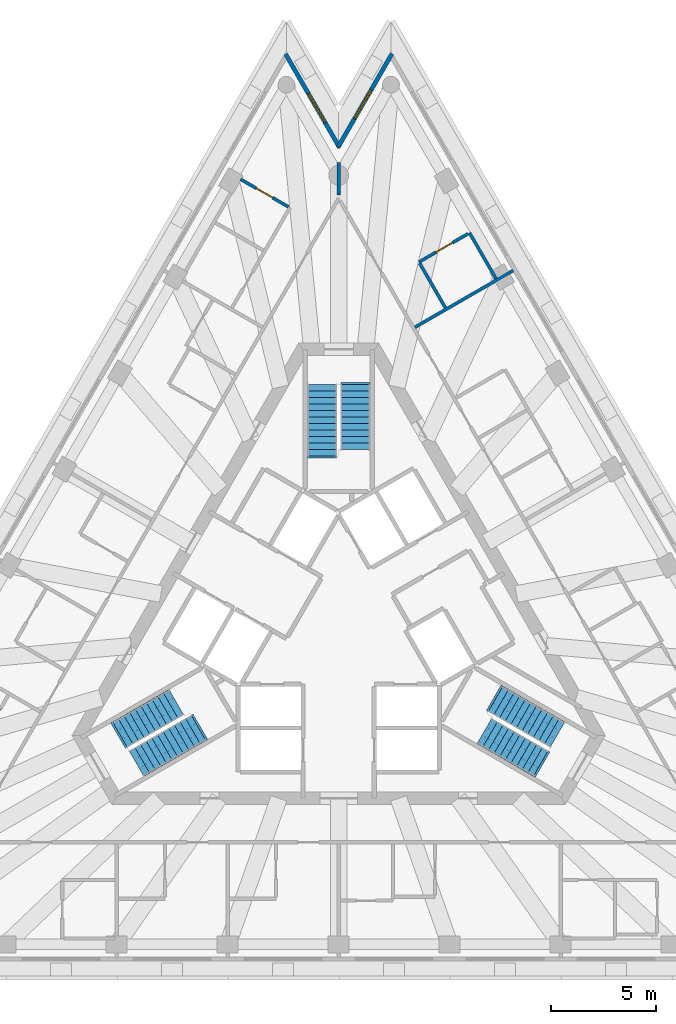
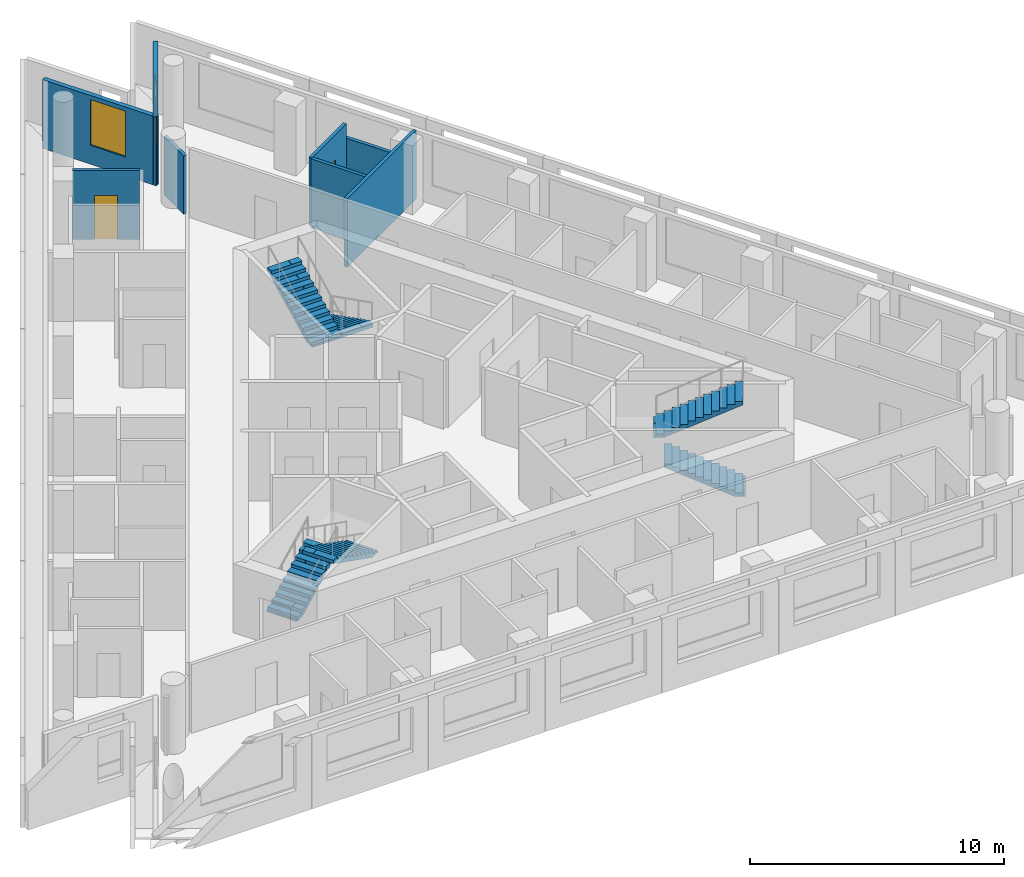
# One storey, part 8 of 11: 8 walls, 6 stair flights, 2 doors, 2 windows, 4 openings, 3 elements without a shape of their own.
"""IFC4 building model written with IfcOpenShell, lengths in metres."""

from ifc_helpers import new_model, si_unit, direction, frame, frame_2d, origin, place, context, subcontext, project, spatial, polyline, rectangle, outline, extrude, material, layer, layer_set, layer_usage, type_object, element, fill, aggregate, save


model = new_model("IFC4")

# Units and contexts
model_context = context("Model", 3, precision=1e-05, world=origin(), true_north=direction((0.0, 1.0)))
body_context = subcontext(model_context, "Body", "Model", "MODEL_VIEW")
ifc_project = project(units=[si_unit("LENGTHUNIT", "METRE"), si_unit("AREAUNIT", "SQUARE_METRE"), si_unit("VOLUMEUNIT", "CUBIC_METRE"), si_unit("PLANEANGLEUNIT", "RADIAN"), si_unit("MASSUNIT", "GRAM", prefix="KILO")], contexts=[model_context])

# Site, building, storey
site_placement = place(None, origin())
site = spatial("IfcSite", under=ifc_project, at=site_placement, CompositionType="ELEMENT")
building_placement = place(site_placement, origin())
building = spatial("IfcBuilding", under=site, at=building_placement, Name="Triada Interchange Tower", CompositionType="ELEMENT")
storey_placement = place(building_placement, frame((0.0, 0.0, 307.89990234375)))
storey = spatial("IfcBuildingStorey", under=building, at=storey_placement, Name="L73", CompositionType="ELEMENT", Elevation=307.89990234375)

# Wall, opening, window
ifc_material_1 = material(Name="Cement board")
ifc_layer_1 = layer(ifc_material_1, 0.02001953125, Name="Cement board cladding")
ifc_material_2 = material(Name="Sheathing board")
ifc_layer_2 = layer(ifc_material_2, 0.014892578125, Name="Sheathing board")
ifc_material_3 = material(Name="Mineral wool")
ifc_layer_3 = layer(ifc_material_3, 0.14990234375, Name="Mineral wool between steel studs")
ifc_material_4 = material(Name="Gypsum board")
ifc_layer_4 = layer(ifc_material_4, 0.014892578125, Name="Plasterboard lining")
ifc_layer_set_1 = layer_set([ifc_layer_1, ifc_layer_2, ifc_layer_3, ifc_layer_4], Name="External wall 200")
ifc_layer_usage = layer_usage(ifc_layer_set_1, "AXIS2", "POSITIVE", -0.10009765625)
wall_type_1 = type_object("IfcWallType", Name="External wall 200", PredefinedType="ELEMENTEDWALL", material=ifc_layer_set_1)
wall_1_placement = place(storey_placement, frame((2.54296875, 27.405029296875, 0.0), z_axis=(0.0, 0.0, 1.0), x_axis=(-0.49983036304, -0.866123321579, 0.0)))
wall_1 = element("IfcWall", 1, at=wall_1_placement, inside=storey, type_object=wall_type_1, material=ifc_layer_usage, Name="External wall L73 N-1", PredefinedType="ELEMENTEDWALL", context=body_context, shape_type="SweptSolid", body=[
    extrude(rectangle(XDim=5.157470703125, YDim=0.199951171875, at=frame_2d((2.57861328125, 0.0))), origin(), (0.0, 0.0, 1.0), 3.300048828125),
])
opening_1_placement = place(wall_1_placement, frame((1.989990234375, 0.0, 0.89990234375)))
opening_1 = element("IfcOpeningElement", 2, at=opening_1_placement, cuts=wall_1, Name="Opening WD29", PredefinedType="OPENING", context=body_context, shape_type="SweptSolid", body=[
    extrude(rectangle(XDim=1.60009765625, YDim=2.199951171875, at=frame_2d((0.800048828125, 1.10009765625))), frame((0.0, 0.10986328125, 0.0), z_axis=(0.0, -1.0, 0.0), x_axis=(1.0, 0.0, 0.0)), (0.0, 0.0, 1.0), 0.219970703125),
])
ifc_material_5 = material(Name="Double glazed aluminium window", Category="aluminium")
window_type = type_object("IfcWindowType", Name="Ribbon window D pocket", PartitioningType="SINGLE_PANEL", PredefinedType="WINDOW", material=ifc_material_5)
window_1_placement = place(opening_1_placement, origin())
window_1 = element("IfcWindow", 3, at=window_1_placement, inside=storey, type_object=window_type, Name="Window L73 N-1 1", OverallHeight=2.199951171875, OverallWidth=1.60009765625, PartitioningType="SINGLE_PANEL", PredefinedType="WINDOW", context=body_context, shape_type="SweptSolid", body=[
    extrude(rectangle(XDim=1.60009765625, YDim=2.199951171875, at=frame_2d((0.800048828125, 1.10009765625))), frame((0.0, 0.030029296875, 0.0), z_axis=(0.0, -1.0, 0.0), x_axis=(1.0, 0.0, 0.0)), (0.0, 0.0, 1.0), 0.06005859375),
])
fill(opening_1, window_1)

wall_2_placement = place(storey_placement, frame((0.044921875, 22.9208984375, 0.0), z_axis=(0.0, 0.0, 1.0), x_axis=(-0.49983036304, 0.866123321579, 0.0)))
wall_2 = element("IfcWall", 4, at=wall_2_placement, inside=storey, type_object=wall_type_1, material=ifc_layer_usage, Name="External wall L73 N-2", PredefinedType="ELEMENTEDWALL", context=body_context, shape_type="SweptSolid", body=[
    extrude(rectangle(XDim=5.157470703125, YDim=0.199951171875, at=frame_2d((2.57861328125, 0.0))), origin(), (0.0, 0.0, 1.0), 3.300048828125),
])
opening_2_placement = place(wall_2_placement, frame((1.389892578125, 0.0, 0.89990234375)))
opening_2 = element("IfcOpeningElement", 5, at=opening_2_placement, cuts=wall_2, Name="Opening WD30", PredefinedType="OPENING", context=body_context, shape_type="SweptSolid", body=[
    extrude(rectangle(XDim=1.60009765625, YDim=2.199951171875, at=frame_2d((0.800048828125, 1.10009765625))), frame((0.0, 0.10986328125, 0.0), z_axis=(0.0, -1.0, 0.0), x_axis=(1.0, 0.0, 0.0)), (0.0, 0.0, 1.0), 0.219970703125),
])
window_2_placement = place(opening_2_placement, origin())
window_2 = element("IfcWindow", 6, at=window_2_placement, inside=storey, type_object=window_type, Name="Window L73 N-2 1", OverallHeight=2.199951171875, OverallWidth=1.60009765625, PartitioningType="SINGLE_PANEL", PredefinedType="WINDOW", context=body_context, shape_type="SweptSolid", body=[
    extrude(rectangle(XDim=1.60009765625, YDim=2.199951171875, at=frame_2d((0.800048828125, 1.10009765625))), frame((0.0, 0.030029296875, 0.0), z_axis=(0.0, -1.0, 0.0), x_axis=(1.0, 0.0, 0.0)), (0.0, 0.0, 1.0), 0.06005859375),
])
fill(opening_2, window_2)

# Walls
ifc_material_6 = material(Name="Gypsum board partition")
ifc_layer_5 = layer(ifc_material_6, 0.14990234375)
ifc_layer_set_2 = layer_set([ifc_layer_5], Name="PARTITION 150 EI 180")
wall_type_2 = type_object("IfcWallType", Name="PARTITION 150 EI 180", PredefinedType="PARTITIONING", material=ifc_layer_set_2)
wall_3_placement = place(storey_placement, frame((0.0, 20.64990234375, 0.0), z_axis=(0.0, 0.0, 1.0), x_axis=(0.0, 1.0, 0.0)))
element("IfcWall", 7, at=wall_3_placement, inside=storey, type_object=wall_type_2, Name="Wall L71 13", PredefinedType="PARTITIONING", context=body_context, shape_type="SweptSolid", body=[
    extrude(rectangle(XDim=1.569091796875, YDim=0.14990234375, at=frame_2d((0.78466796875, 0.0))), origin(), (0.0, 0.0, 1.0), 2.800048828125),
])
wall_4_placement = place(storey_placement, frame((3.64111328125, 14.343994140625, 0.0), z_axis=(0.0, 0.0, 1.0), x_axis=(0.865995092734, 0.500052496605, 0.0)))
element("IfcWall", 8, at=wall_4_placement, inside=storey, type_object=wall_type_2, Name="Wall L71 15", PredefinedType="PARTITIONING", context=body_context, shape_type="SweptSolid", body=[
    extrude(rectangle(XDim=5.42138671875, YDim=0.14990234375, at=frame_2d((2.710693359375, 0.0))), origin(), (0.0, 0.0, 1.0), 3.300048828125),
])

# Wall, opening, door
ifc_layer_6 = layer(ifc_material_6, 0.14990234375)
ifc_layer_set_3 = layer_set([ifc_layer_6], Name="PARTITION 150 EI 90")
wall_type_3 = type_object("IfcWallType", Name="PARTITION 150 EI 90", PredefinedType="PARTITIONING", material=ifc_layer_set_3)
wall_5_placement = place(storey_placement, frame((-4.68505859375, 21.4130859375, 0.0), z_axis=(0.0, 0.0, 1.0), x_axis=(0.866065407652, -0.499930704866, 0.0)))
wall_5 = element("IfcWall", 9, at=wall_5_placement, inside=storey, type_object=wall_type_3, Name="Wall L71 50", PredefinedType="PARTITIONING", context=body_context, shape_type="SweptSolid", body=[
    extrude(rectangle(XDim=2.638427734375, YDim=0.14990234375, at=frame_2d((1.3193359375, 0.0))), origin(), (0.0, 0.0, 1.0), 3.300048828125),
])
opening_3_placement = place(wall_5_placement, frame((0.875, 0.0, 0.0)))
opening_3 = element("IfcOpeningElement", 10, at=opening_3_placement, cuts=wall_5, Name="Opening D71-38", PredefinedType="OPENING", context=body_context, shape_type="SweptSolid", body=[
    extrude(rectangle(XDim=0.89990234375, YDim=2.10009765625, at=frame_2d((0.449951171875, 1.050048828125))), frame((0.0, 0.0849609375, 0.0), z_axis=(0.0, -1.0, 0.0), x_axis=(1.0, 0.0, 0.0)), (0.0, 0.0, 1.0), 0.169921875),
])
ifc_material_7 = material(Name="Steel S235 door leaf", Category="steel")
door_type_1 = type_object("IfcDoorType", Name="SERVICE DOOR 900 EI2 45-C5S200", OperationType="NOTDEFINED", PredefinedType="DOOR", material=ifc_material_7)
door_1_placement = place(opening_3_placement, origin())
door_1 = element("IfcDoor", 11, at=door_1_placement, inside=storey, type_object=door_type_1, Name="Door D71-38 L73", OperationType="SINGLE_SWING_RIGHT", OverallHeight=2.10009765625, OverallWidth=0.89990234375, PredefinedType="DOOR", context=body_context, shape_type="SweptSolid", body=[
    extrude(rectangle(XDim=0.89990234375, YDim=2.10009765625, at=frame_2d((0.449951171875, 1.050048828125))), frame((0.0, 0.02490234375, 0.0), z_axis=(0.0, -1.0, 0.0), x_axis=(1.0, 0.0, 0.0)), (0.0, 0.0, 1.0), 0.050048828125),
])
fill(opening_3, door_1)

# Wall
wall_6_placement = place(storey_placement, frame((6.2490234375, 18.85302734375, 0.0), z_axis=(0.0, 0.0, 1.0), x_axis=(0.500079482444, -0.865979509711, 0.0)))
element("IfcWall", 12, at=wall_6_placement, inside=storey, type_object=wall_type_3, Name="Wall L71 57", PredefinedType="PARTITIONING", context=body_context, shape_type="SweptSolid", body=[
    extrude(rectangle(XDim=2.525390625, YDim=0.14990234375, at=frame_2d((1.2626953125, 0.0))), origin(), (0.0, 0.0, 1.0), 2.60009765625),
])

# Wall, opening, door
wall_7_placement = place(storey_placement, frame((3.8349609375, 17.4580078125, 0.0), z_axis=(0.0, 0.0, 1.0), x_axis=(0.866008795918, 0.500028764566, 0.0)))
wall_7 = element("IfcWall", 13, at=wall_7_placement, inside=storey, type_object=wall_type_3, Name="Wall L71 59", PredefinedType="PARTITIONING", context=body_context, shape_type="SweptSolid", body=[
    extrude(rectangle(XDim=2.713623046875, YDim=0.14990234375, at=frame_2d((1.35693359375, 0.0))), origin(), (0.0, 0.0, 1.0), 3.300048828125),
])
opening_4_placement = place(wall_7_placement, frame((0.949951171875, 0.0, 0.0)))
opening_4 = element("IfcOpeningElement", 14, at=opening_4_placement, cuts=wall_7, Name="Opening D71-35", PredefinedType="OPENING", context=body_context, shape_type="SweptSolid", body=[
    extrude(rectangle(XDim=0.89990234375, YDim=2.10009765625, at=frame_2d((0.449951171875, 1.050048828125))), frame((0.0, 0.0849609375, 0.0), z_axis=(0.0, -1.0, 0.0), x_axis=(1.0, 0.0, 0.0)), (0.0, 0.0, 1.0), 0.169921875),
])
door_type_2 = type_object("IfcDoorType", Name="ROOM DOOR 900 EI2 45-C5S200", OperationType="NOTDEFINED", PredefinedType="DOOR", material=ifc_material_7)
door_2_placement = place(opening_4_placement, origin())
door_2 = element("IfcDoor", 15, at=door_2_placement, inside=storey, type_object=door_type_2, Name="Door D71-35 L73", OperationType="SINGLE_SWING_LEFT", OverallHeight=2.10009765625, OverallWidth=0.89990234375, PredefinedType="DOOR", context=body_context, shape_type="SweptSolid", body=[
    extrude(rectangle(XDim=0.89990234375, YDim=2.10009765625, at=frame_2d((0.449951171875, 1.050048828125))), frame((0.0, 0.02490234375, 0.0), z_axis=(0.0, -1.0, 0.0), x_axis=(1.0, 0.0, 0.0)), (0.0, 0.0, 1.0), 0.050048828125),
])
fill(opening_4, door_2)

# Wall
wall_8_placement = place(storey_placement, frame((3.8720703125, 17.39306640625, 0.0), z_axis=(0.0, 0.0, 1.0), x_axis=(0.500073324283, -0.865983065851, 0.0)))
element("IfcWall", 16, at=wall_8_placement, inside=storey, type_object=wall_type_3, Name="Wall L71 60", PredefinedType="PARTITIONING", context=body_context, shape_type="SweptSolid", body=[
    extrude(rectangle(XDim=2.449462890625, YDim=0.14990234375, at=frame_2d((1.224609375, 0.0))), origin(), (0.0, 0.0, 1.0), 3.300048828125),
])

# Stair, stair flights
ifc_material_8 = material(Name="Concrete C35/45", Category="concrete")
stair_type = type_object("IfcStairType", Name="HALF TURN STAIR 1400", PredefinedType="HALF_TURN_STAIR", material=ifc_material_8)
stair_1_placement = place(storey_placement, origin())
stair_1 = element("IfcStair", 17, at=stair_1_placement, inside=storey, type_object=stair_type, Name="Exit stair S71-1", PredefinedType="HALF_TURN_STAIR")
stair_flight_type = type_object("IfcStairFlightType", Name="STRAIGHT STAIR FLIGHT 1400", PredefinedType="STRAIGHT", material=ifc_material_8)
stair_flight_1_placement = place(storey_placement, frame((0.800048828125, 11.60009765625, 0.0), z_axis=(0.0, 0.0, 1.0), x_axis=(0.0, -1.0, 0.0)))
stair_flight_1 = element("IfcStairFlight", 18, at=stair_flight_1_placement, type_object=stair_flight_type, Name="S71-1 flight 1", NumberOfRisers=11, NumberOfTreads=10, PredefinedType="STRAIGHT", RiserHeight=0.15652, TreadLength=0.31, context=body_context, shape_type="SweptSolid", body=[
    extrude(outline(polyline([(-0.10009765625, 0.0), (-0.10009765625, 0.02001953125), (0.0, 0.02001953125), (0.0, 0.156494140625), (0.31005859375, 0.156494140625), (0.31005859375, 0.31298828125), (0.6201171875, 0.31298828125), (0.6201171875, 0.469482421875), (0.929931640625, 0.469482421875), (0.929931640625, 0.6259765625), (1.239990234375, 0.6259765625), (1.239990234375, 0.78271484375), (1.550048828125, 0.78271484375), (1.550048828125, 0.939208984375), (1.860107421875, 0.939208984375), (1.860107421875, 1.095703125), (2.169921875, 1.095703125), (2.169921875, 1.252197265625), (2.47998046875, 1.252197265625), (2.47998046875, 1.40869140625), (2.7900390625, 1.40869140625), (2.7900390625, 1.565185546875), (3.10009765625, 1.565185546875), (3.10400390625, 1.565185546875), (3.10400390625, 1.7216796875), (3.10400390625, 1.397216796875), (0.33251953125, 0.0), (-0.10009765625, 0.0)])), frame((0.0, 0.699951171875, 0.0), z_axis=(0.0, -1.0, 0.0), x_axis=(1.0, 0.0, 0.0)), (0.0, 0.0, 1.0), 0.46533203125),
    extrude(outline(polyline([(-0.10009765625, 0.0), (-0.10009765625, 0.02001953125), (0.0, 0.02001953125), (0.0, 0.156494140625), (0.31005859375, 0.156494140625), (0.31005859375, 0.31298828125), (0.6201171875, 0.31298828125), (0.6201171875, 0.469482421875), (0.929931640625, 0.469482421875), (0.929931640625, 0.6259765625), (1.239990234375, 0.6259765625), (1.239990234375, 0.78271484375), (1.550048828125, 0.78271484375), (1.550048828125, 0.939208984375), (1.860107421875, 0.939208984375), (1.860107421875, 1.095703125), (2.169921875, 1.095703125), (2.169921875, 1.252197265625), (2.47998046875, 1.252197265625), (2.47998046875, 1.40869140625), (2.7900390625, 1.40869140625), (2.7900390625, 1.565185546875), (3.10009765625, 1.565185546875), (3.10400390625, 1.565185546875), (3.10400390625, 1.7216796875), (3.10400390625, 1.397216796875), (0.33251953125, 0.0), (-0.10009765625, 0.0)])), frame((0.0, 0.232666015625, 0.0), z_axis=(0.0, -1.0, 0.0), x_axis=(1.0, 0.0, 0.0)), (0.0, 0.0, 1.0), 0.46533203125),
    extrude(outline(polyline([(-0.10009765625, 0.0), (-0.10009765625, 0.02001953125), (0.0, 0.02001953125), (0.0, 0.156494140625), (0.31005859375, 0.156494140625), (0.31005859375, 0.31298828125), (0.6201171875, 0.31298828125), (0.6201171875, 0.469482421875), (0.929931640625, 0.469482421875), (0.929931640625, 0.6259765625), (1.239990234375, 0.6259765625), (1.239990234375, 0.78271484375), (1.550048828125, 0.78271484375), (1.550048828125, 0.939208984375), (1.860107421875, 0.939208984375), (1.860107421875, 1.095703125), (2.169921875, 1.095703125), (2.169921875, 1.252197265625), (2.47998046875, 1.252197265625), (2.47998046875, 1.40869140625), (2.7900390625, 1.40869140625), (2.7900390625, 1.565185546875), (3.10009765625, 1.565185546875), (3.10400390625, 1.565185546875), (3.10400390625, 1.7216796875), (3.10400390625, 1.397216796875), (0.33251953125, 0.0), (-0.10009765625, 0.0)])), frame((0.0, -0.234619140625, 0.0), z_axis=(0.0, -1.0, 0.0), x_axis=(1.0, 0.0, 0.0)), (0.0, 0.0, 1.0), 0.46533203125),
])
stair_flight_2_placement = place(storey_placement, frame((-0.800048828125, 8.18994140625, 1.7216796875), z_axis=(0.0, 0.0, 1.0), x_axis=(0.0, 1.0, 0.0)))
stair_flight_2 = element("IfcStairFlight", 19, at=stair_flight_2_placement, type_object=stair_flight_type, Name="S71-1 flight 2", NumberOfRisers=12, NumberOfTreads=11, PredefinedType="STRAIGHT", RiserHeight=0.15652, TreadLength=0.31, context=body_context, shape_type="SweptSolid", body=[
    extrude(outline(polyline([(-0.10009765625, 0.0), (-0.10009765625, 0.02001953125), (0.0, 0.02001953125), (0.0, 0.156494140625), (0.31005859375, 0.156494140625), (0.31005859375, 0.31298828125), (0.6201171875, 0.31298828125), (0.6201171875, 0.469482421875), (0.929931640625, 0.469482421875), (0.929931640625, 0.6259765625), (1.239990234375, 0.6259765625), (1.239990234375, 0.78271484375), (1.550048828125, 0.78271484375), (1.550048828125, 0.939208984375), (1.860107421875, 0.939208984375), (1.860107421875, 1.095703125), (2.169921875, 1.095703125), (2.169921875, 1.252197265625), (2.47998046875, 1.252197265625), (2.47998046875, 1.40869140625), (2.7900390625, 1.40869140625), (2.7900390625, 1.565185546875), (3.10009765625, 1.565185546875), (3.10009765625, 1.7216796875), (3.409912109375, 1.7216796875), (3.4140625, 1.7216796875), (3.4140625, 1.878173828125), (3.4140625, 1.5537109375), (0.33251953125, 0.0), (-0.10009765625, 0.0)])), frame((0.0, 0.699951171875, 0.0), z_axis=(0.0, -1.0, 0.0), x_axis=(1.0, 0.0, 0.0)), (0.0, 0.0, 1.0), 0.46533203125),
    extrude(outline(polyline([(-0.10009765625, 0.0), (-0.10009765625, 0.02001953125), (0.0, 0.02001953125), (0.0, 0.156494140625), (0.31005859375, 0.156494140625), (0.31005859375, 0.31298828125), (0.6201171875, 0.31298828125), (0.6201171875, 0.469482421875), (0.929931640625, 0.469482421875), (0.929931640625, 0.6259765625), (1.239990234375, 0.6259765625), (1.239990234375, 0.78271484375), (1.550048828125, 0.78271484375), (1.550048828125, 0.939208984375), (1.860107421875, 0.939208984375), (1.860107421875, 1.095703125), (2.169921875, 1.095703125), (2.169921875, 1.252197265625), (2.47998046875, 1.252197265625), (2.47998046875, 1.40869140625), (2.7900390625, 1.40869140625), (2.7900390625, 1.565185546875), (3.10009765625, 1.565185546875), (3.10009765625, 1.7216796875), (3.409912109375, 1.7216796875), (3.4140625, 1.7216796875), (3.4140625, 1.878173828125), (3.4140625, 1.5537109375), (0.33251953125, 0.0), (-0.10009765625, 0.0)])), frame((0.0, 0.232666015625, 0.0), z_axis=(0.0, -1.0, 0.0), x_axis=(1.0, 0.0, 0.0)), (0.0, 0.0, 1.0), 0.46533203125),
    extrude(outline(polyline([(-0.10009765625, 0.0), (-0.10009765625, 0.02001953125), (0.0, 0.02001953125), (0.0, 0.156494140625), (0.31005859375, 0.156494140625), (0.31005859375, 0.31298828125), (0.6201171875, 0.31298828125), (0.6201171875, 0.469482421875), (0.929931640625, 0.469482421875), (0.929931640625, 0.6259765625), (1.239990234375, 0.6259765625), (1.239990234375, 0.78271484375), (1.550048828125, 0.78271484375), (1.550048828125, 0.939208984375), (1.860107421875, 0.939208984375), (1.860107421875, 1.095703125), (2.169921875, 1.095703125), (2.169921875, 1.252197265625), (2.47998046875, 1.252197265625), (2.47998046875, 1.40869140625), (2.7900390625, 1.40869140625), (2.7900390625, 1.565185546875), (3.10009765625, 1.565185546875), (3.10009765625, 1.7216796875), (3.409912109375, 1.7216796875), (3.4140625, 1.7216796875), (3.4140625, 1.878173828125), (3.4140625, 1.5537109375), (0.33251953125, 0.0), (-0.10009765625, 0.0)])), frame((0.0, -0.234619140625, 0.0), z_axis=(0.0, -1.0, 0.0), x_axis=(1.0, 0.0, 0.0)), (0.0, 0.0, 1.0), 0.46533203125),
])
aggregate(stair_1, [stair_flight_1, stair_flight_2])

stair_2_placement = place(storey_placement, origin())
stair_2 = element("IfcStair", 20, at=stair_2_placement, inside=storey, type_object=stair_type, Name="Exit stair S71-2", PredefinedType="HALF_TURN_STAIR")
stair_flight_3_placement = place(storey_placement, frame((-10.446044921875, -5.10693359375, 0.0), z_axis=(0.0, 0.0, 1.0), x_axis=(0.866025403784, 0.5, 0.0)))
stair_flight_3 = element("IfcStairFlight", 21, at=stair_flight_3_placement, type_object=stair_flight_type, Name="S71-2 flight 1", NumberOfRisers=11, NumberOfTreads=10, PredefinedType="STRAIGHT", RiserHeight=0.15652, TreadLength=0.31, context=body_context, shape_type="SweptSolid", body=[
    extrude(outline(polyline([(-0.10009765625, 0.0), (-0.10009765625, 0.02001953125), (0.0, 0.02001953125), (0.0, 0.156494140625), (0.31005859375, 0.156494140625), (0.31005859375, 0.31298828125), (0.6201171875, 0.31298828125), (0.6201171875, 0.469482421875), (0.929931640625, 0.469482421875), (0.929931640625, 0.6259765625), (1.239990234375, 0.6259765625), (1.239990234375, 0.78271484375), (1.550048828125, 0.78271484375), (1.550048828125, 0.939208984375), (1.860107421875, 0.939208984375), (1.860107421875, 1.095703125), (2.169921875, 1.095703125), (2.169921875, 1.252197265625), (2.47998046875, 1.252197265625), (2.47998046875, 1.40869140625), (2.7900390625, 1.40869140625), (2.7900390625, 1.565185546875), (3.10009765625, 1.565185546875), (3.10400390625, 1.565185546875), (3.10400390625, 1.7216796875), (3.10400390625, 1.397216796875), (0.33251953125, 0.0), (-0.10009765625, 0.0)])), frame((0.0, 0.699951171875, 0.0), z_axis=(0.0, -1.0, 0.0), x_axis=(1.0, 0.0, 0.0)), (0.0, 0.0, 1.0), 0.46533203125),
    extrude(outline(polyline([(-0.10009765625, 0.0), (-0.10009765625, 0.02001953125), (0.0, 0.02001953125), (0.0, 0.156494140625), (0.31005859375, 0.156494140625), (0.31005859375, 0.31298828125), (0.6201171875, 0.31298828125), (0.6201171875, 0.469482421875), (0.929931640625, 0.469482421875), (0.929931640625, 0.6259765625), (1.239990234375, 0.6259765625), (1.239990234375, 0.78271484375), (1.550048828125, 0.78271484375), (1.550048828125, 0.939208984375), (1.860107421875, 0.939208984375), (1.860107421875, 1.095703125), (2.169921875, 1.095703125), (2.169921875, 1.252197265625), (2.47998046875, 1.252197265625), (2.47998046875, 1.40869140625), (2.7900390625, 1.40869140625), (2.7900390625, 1.565185546875), (3.10009765625, 1.565185546875), (3.10400390625, 1.565185546875), (3.10400390625, 1.7216796875), (3.10400390625, 1.397216796875), (0.33251953125, 0.0), (-0.10009765625, 0.0)])), frame((0.0, 0.232666015625, 0.0), z_axis=(0.0, -1.0, 0.0), x_axis=(1.0, 0.0, 0.0)), (0.0, 0.0, 1.0), 0.46533203125),
    extrude(outline(polyline([(-0.10009765625, 0.0), (-0.10009765625, 0.02001953125), (0.0, 0.02001953125), (0.0, 0.156494140625), (0.31005859375, 0.156494140625), (0.31005859375, 0.31298828125), (0.6201171875, 0.31298828125), (0.6201171875, 0.469482421875), (0.929931640625, 0.469482421875), (0.929931640625, 0.6259765625), (1.239990234375, 0.6259765625), (1.239990234375, 0.78271484375), (1.550048828125, 0.78271484375), (1.550048828125, 0.939208984375), (1.860107421875, 0.939208984375), (1.860107421875, 1.095703125), (2.169921875, 1.095703125), (2.169921875, 1.252197265625), (2.47998046875, 1.252197265625), (2.47998046875, 1.40869140625), (2.7900390625, 1.40869140625), (2.7900390625, 1.565185546875), (3.10009765625, 1.565185546875), (3.10400390625, 1.565185546875), (3.10400390625, 1.7216796875), (3.10400390625, 1.397216796875), (0.33251953125, 0.0), (-0.10009765625, 0.0)])), frame((0.0, -0.234619140625, 0.0), z_axis=(0.0, -1.0, 0.0), x_axis=(1.0, 0.0, 0.0)), (0.0, 0.0, 1.0), 0.46533203125),
])
stair_flight_4_placement = place(storey_placement, frame((-6.693115234375, -4.7880859375, 1.7216796875), z_axis=(0.0, 0.0, 1.0), x_axis=(-0.866025403784, -0.5, 0.0)))
stair_flight_4 = element("IfcStairFlight", 22, at=stair_flight_4_placement, type_object=stair_flight_type, Name="S71-2 flight 2", NumberOfRisers=12, NumberOfTreads=11, PredefinedType="STRAIGHT", RiserHeight=0.15652, TreadLength=0.31, context=body_context, shape_type="SweptSolid", body=[
    extrude(outline(polyline([(-0.10009765625, 0.0), (-0.10009765625, 0.02001953125), (0.0, 0.02001953125), (0.0, 0.156494140625), (0.31005859375, 0.156494140625), (0.31005859375, 0.31298828125), (0.6201171875, 0.31298828125), (0.6201171875, 0.469482421875), (0.929931640625, 0.469482421875), (0.929931640625, 0.6259765625), (1.239990234375, 0.6259765625), (1.239990234375, 0.78271484375), (1.550048828125, 0.78271484375), (1.550048828125, 0.939208984375), (1.860107421875, 0.939208984375), (1.860107421875, 1.095703125), (2.169921875, 1.095703125), (2.169921875, 1.252197265625), (2.47998046875, 1.252197265625), (2.47998046875, 1.40869140625), (2.7900390625, 1.40869140625), (2.7900390625, 1.565185546875), (3.10009765625, 1.565185546875), (3.10009765625, 1.7216796875), (3.409912109375, 1.7216796875), (3.4140625, 1.7216796875), (3.4140625, 1.878173828125), (3.4140625, 1.5537109375), (0.33251953125, 0.0), (-0.10009765625, 0.0)])), frame((0.0, 0.699951171875, 0.0), z_axis=(0.0, -1.0, 0.0), x_axis=(1.0, 0.0, 0.0)), (0.0, 0.0, 1.0), 0.46533203125),
    extrude(outline(polyline([(-0.10009765625, 0.0), (-0.10009765625, 0.02001953125), (0.0, 0.02001953125), (0.0, 0.156494140625), (0.31005859375, 0.156494140625), (0.31005859375, 0.31298828125), (0.6201171875, 0.31298828125), (0.6201171875, 0.469482421875), (0.929931640625, 0.469482421875), (0.929931640625, 0.6259765625), (1.239990234375, 0.6259765625), (1.239990234375, 0.78271484375), (1.550048828125, 0.78271484375), (1.550048828125, 0.939208984375), (1.860107421875, 0.939208984375), (1.860107421875, 1.095703125), (2.169921875, 1.095703125), (2.169921875, 1.252197265625), (2.47998046875, 1.252197265625), (2.47998046875, 1.40869140625), (2.7900390625, 1.40869140625), (2.7900390625, 1.565185546875), (3.10009765625, 1.565185546875), (3.10009765625, 1.7216796875), (3.409912109375, 1.7216796875), (3.4140625, 1.7216796875), (3.4140625, 1.878173828125), (3.4140625, 1.5537109375), (0.33251953125, 0.0), (-0.10009765625, 0.0)])), frame((0.0, 0.232666015625, 0.0), z_axis=(0.0, -1.0, 0.0), x_axis=(1.0, 0.0, 0.0)), (0.0, 0.0, 1.0), 0.46533203125),
    extrude(outline(polyline([(-0.10009765625, 0.0), (-0.10009765625, 0.02001953125), (0.0, 0.02001953125), (0.0, 0.156494140625), (0.31005859375, 0.156494140625), (0.31005859375, 0.31298828125), (0.6201171875, 0.31298828125), (0.6201171875, 0.469482421875), (0.929931640625, 0.469482421875), (0.929931640625, 0.6259765625), (1.239990234375, 0.6259765625), (1.239990234375, 0.78271484375), (1.550048828125, 0.78271484375), (1.550048828125, 0.939208984375), (1.860107421875, 0.939208984375), (1.860107421875, 1.095703125), (2.169921875, 1.095703125), (2.169921875, 1.252197265625), (2.47998046875, 1.252197265625), (2.47998046875, 1.40869140625), (2.7900390625, 1.40869140625), (2.7900390625, 1.565185546875), (3.10009765625, 1.565185546875), (3.10009765625, 1.7216796875), (3.409912109375, 1.7216796875), (3.4140625, 1.7216796875), (3.4140625, 1.878173828125), (3.4140625, 1.5537109375), (0.33251953125, 0.0), (-0.10009765625, 0.0)])), frame((0.0, -0.234619140625, 0.0), z_axis=(0.0, -1.0, 0.0), x_axis=(1.0, 0.0, 0.0)), (0.0, 0.0, 1.0), 0.46533203125),
])
aggregate(stair_2, [stair_flight_3, stair_flight_4])

stair_3_placement = place(storey_placement, origin())
stair_3 = element("IfcStair", 23, at=stair_3_placement, inside=storey, type_object=stair_type, Name="Exit stair S71-3", PredefinedType="HALF_TURN_STAIR")
stair_flight_5_placement = place(storey_placement, frame((9.64599609375, -6.492919921875, 0.0), z_axis=(0.0, 0.0, 1.0), x_axis=(-0.866025403784, 0.5, 0.0)))
stair_flight_5 = element("IfcStairFlight", 24, at=stair_flight_5_placement, type_object=stair_flight_type, Name="S71-3 flight 1", NumberOfRisers=11, NumberOfTreads=10, PredefinedType="STRAIGHT", RiserHeight=0.15652, TreadLength=0.31, context=body_context, shape_type="SweptSolid", body=[
    extrude(outline(polyline([(-0.10009765625, 0.0), (-0.10009765625, 0.02001953125), (0.0, 0.02001953125), (0.0, 0.156494140625), (0.31005859375, 0.156494140625), (0.31005859375, 0.31298828125), (0.6201171875, 0.31298828125), (0.6201171875, 0.469482421875), (0.929931640625, 0.469482421875), (0.929931640625, 0.6259765625), (1.239990234375, 0.6259765625), (1.239990234375, 0.78271484375), (1.550048828125, 0.78271484375), (1.550048828125, 0.939208984375), (1.860107421875, 0.939208984375), (1.860107421875, 1.095703125), (2.169921875, 1.095703125), (2.169921875, 1.252197265625), (2.47998046875, 1.252197265625), (2.47998046875, 1.40869140625), (2.7900390625, 1.40869140625), (2.7900390625, 1.565185546875), (3.10009765625, 1.565185546875), (3.10400390625, 1.565185546875), (3.10400390625, 1.7216796875), (3.10400390625, 1.397216796875), (0.33251953125, 0.0), (-0.10009765625, 0.0)])), frame((0.0, 0.699951171875, 0.0), z_axis=(0.0, -1.0, 0.0), x_axis=(1.0, 0.0, 0.0)), (0.0, 0.0, 1.0), 0.46533203125),
    extrude(outline(polyline([(-0.10009765625, 0.0), (-0.10009765625, 0.02001953125), (0.0, 0.02001953125), (0.0, 0.156494140625), (0.31005859375, 0.156494140625), (0.31005859375, 0.31298828125), (0.6201171875, 0.31298828125), (0.6201171875, 0.469482421875), (0.929931640625, 0.469482421875), (0.929931640625, 0.6259765625), (1.239990234375, 0.6259765625), (1.239990234375, 0.78271484375), (1.550048828125, 0.78271484375), (1.550048828125, 0.939208984375), (1.860107421875, 0.939208984375), (1.860107421875, 1.095703125), (2.169921875, 1.095703125), (2.169921875, 1.252197265625), (2.47998046875, 1.252197265625), (2.47998046875, 1.40869140625), (2.7900390625, 1.40869140625), (2.7900390625, 1.565185546875), (3.10009765625, 1.565185546875), (3.10400390625, 1.565185546875), (3.10400390625, 1.7216796875), (3.10400390625, 1.397216796875), (0.33251953125, 0.0), (-0.10009765625, 0.0)])), frame((0.0, 0.232666015625, 0.0), z_axis=(0.0, -1.0, 0.0), x_axis=(1.0, 0.0, 0.0)), (0.0, 0.0, 1.0), 0.46533203125),
    extrude(outline(polyline([(-0.10009765625, 0.0), (-0.10009765625, 0.02001953125), (0.0, 0.02001953125), (0.0, 0.156494140625), (0.31005859375, 0.156494140625), (0.31005859375, 0.31298828125), (0.6201171875, 0.31298828125), (0.6201171875, 0.469482421875), (0.929931640625, 0.469482421875), (0.929931640625, 0.6259765625), (1.239990234375, 0.6259765625), (1.239990234375, 0.78271484375), (1.550048828125, 0.78271484375), (1.550048828125, 0.939208984375), (1.860107421875, 0.939208984375), (1.860107421875, 1.095703125), (2.169921875, 1.095703125), (2.169921875, 1.252197265625), (2.47998046875, 1.252197265625), (2.47998046875, 1.40869140625), (2.7900390625, 1.40869140625), (2.7900390625, 1.565185546875), (3.10009765625, 1.565185546875), (3.10400390625, 1.565185546875), (3.10400390625, 1.7216796875), (3.10400390625, 1.397216796875), (0.33251953125, 0.0), (-0.10009765625, 0.0)])), frame((0.0, -0.234619140625, 0.0), z_axis=(0.0, -1.0, 0.0), x_axis=(1.0, 0.0, 0.0)), (0.0, 0.0, 1.0), 0.46533203125),
])
stair_flight_6_placement = place(storey_placement, frame((7.492919921875, -3.402099609375, 1.7216796875), z_axis=(0.0, 0.0, 1.0), x_axis=(0.866025403784, -0.5, 0.0)))
stair_flight_6 = element("IfcStairFlight", 25, at=stair_flight_6_placement, type_object=stair_flight_type, Name="S71-3 flight 2", NumberOfRisers=12, NumberOfTreads=11, PredefinedType="STRAIGHT", RiserHeight=0.15652, TreadLength=0.31, context=body_context, shape_type="SweptSolid", body=[
    extrude(outline(polyline([(-0.10009765625, 0.0), (-0.10009765625, 0.02001953125), (0.0, 0.02001953125), (0.0, 0.156494140625), (0.31005859375, 0.156494140625), (0.31005859375, 0.31298828125), (0.6201171875, 0.31298828125), (0.6201171875, 0.469482421875), (0.929931640625, 0.469482421875), (0.929931640625, 0.6259765625), (1.239990234375, 0.6259765625), (1.239990234375, 0.78271484375), (1.550048828125, 0.78271484375), (1.550048828125, 0.939208984375), (1.860107421875, 0.939208984375), (1.860107421875, 1.095703125), (2.169921875, 1.095703125), (2.169921875, 1.252197265625), (2.47998046875, 1.252197265625), (2.47998046875, 1.40869140625), (2.7900390625, 1.40869140625), (2.7900390625, 1.565185546875), (3.10009765625, 1.565185546875), (3.10009765625, 1.7216796875), (3.409912109375, 1.7216796875), (3.4140625, 1.7216796875), (3.4140625, 1.878173828125), (3.4140625, 1.5537109375), (0.33251953125, 0.0), (-0.10009765625, 0.0)])), frame((0.0, 0.699951171875, 0.0), z_axis=(0.0, -1.0, 0.0), x_axis=(1.0, 0.0, 0.0)), (0.0, 0.0, 1.0), 0.46533203125),
    extrude(outline(polyline([(-0.10009765625, 0.0), (-0.10009765625, 0.02001953125), (0.0, 0.02001953125), (0.0, 0.156494140625), (0.31005859375, 0.156494140625), (0.31005859375, 0.31298828125), (0.6201171875, 0.31298828125), (0.6201171875, 0.469482421875), (0.929931640625, 0.469482421875), (0.929931640625, 0.6259765625), (1.239990234375, 0.6259765625), (1.239990234375, 0.78271484375), (1.550048828125, 0.78271484375), (1.550048828125, 0.939208984375), (1.860107421875, 0.939208984375), (1.860107421875, 1.095703125), (2.169921875, 1.095703125), (2.169921875, 1.252197265625), (2.47998046875, 1.252197265625), (2.47998046875, 1.40869140625), (2.7900390625, 1.40869140625), (2.7900390625, 1.565185546875), (3.10009765625, 1.565185546875), (3.10009765625, 1.7216796875), (3.409912109375, 1.7216796875), (3.4140625, 1.7216796875), (3.4140625, 1.878173828125), (3.4140625, 1.5537109375), (0.33251953125, 0.0), (-0.10009765625, 0.0)])), frame((0.0, 0.232666015625, 0.0), z_axis=(0.0, -1.0, 0.0), x_axis=(1.0, 0.0, 0.0)), (0.0, 0.0, 1.0), 0.46533203125),
    extrude(outline(polyline([(-0.10009765625, 0.0), (-0.10009765625, 0.02001953125), (0.0, 0.02001953125), (0.0, 0.156494140625), (0.31005859375, 0.156494140625), (0.31005859375, 0.31298828125), (0.6201171875, 0.31298828125), (0.6201171875, 0.469482421875), (0.929931640625, 0.469482421875), (0.929931640625, 0.6259765625), (1.239990234375, 0.6259765625), (1.239990234375, 0.78271484375), (1.550048828125, 0.78271484375), (1.550048828125, 0.939208984375), (1.860107421875, 0.939208984375), (1.860107421875, 1.095703125), (2.169921875, 1.095703125), (2.169921875, 1.252197265625), (2.47998046875, 1.252197265625), (2.47998046875, 1.40869140625), (2.7900390625, 1.40869140625), (2.7900390625, 1.565185546875), (3.10009765625, 1.565185546875), (3.10009765625, 1.7216796875), (3.409912109375, 1.7216796875), (3.4140625, 1.7216796875), (3.4140625, 1.878173828125), (3.4140625, 1.5537109375), (0.33251953125, 0.0), (-0.10009765625, 0.0)])), frame((0.0, -0.234619140625, 0.0), z_axis=(0.0, -1.0, 0.0), x_axis=(1.0, 0.0, 0.0)), (0.0, 0.0, 1.0), 0.46533203125),
])
aggregate(stair_3, [stair_flight_5, stair_flight_6])

save(model, "model.ifc")
